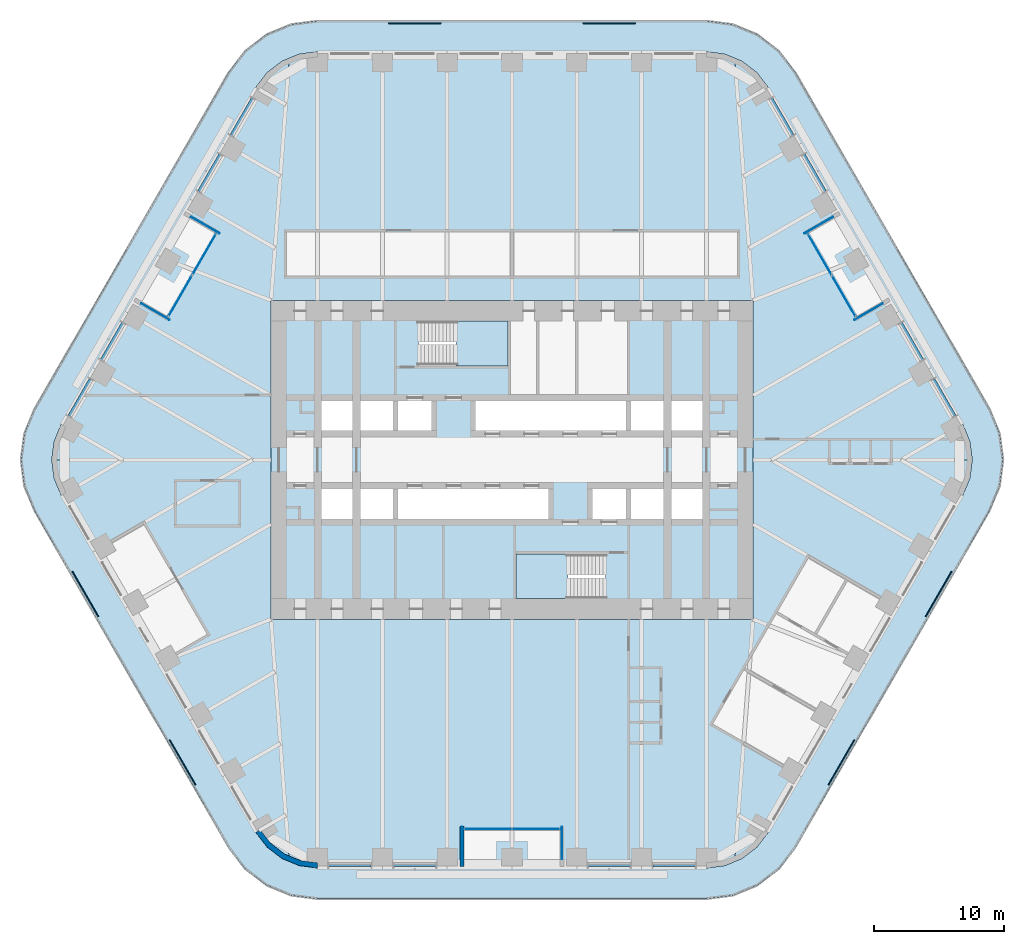
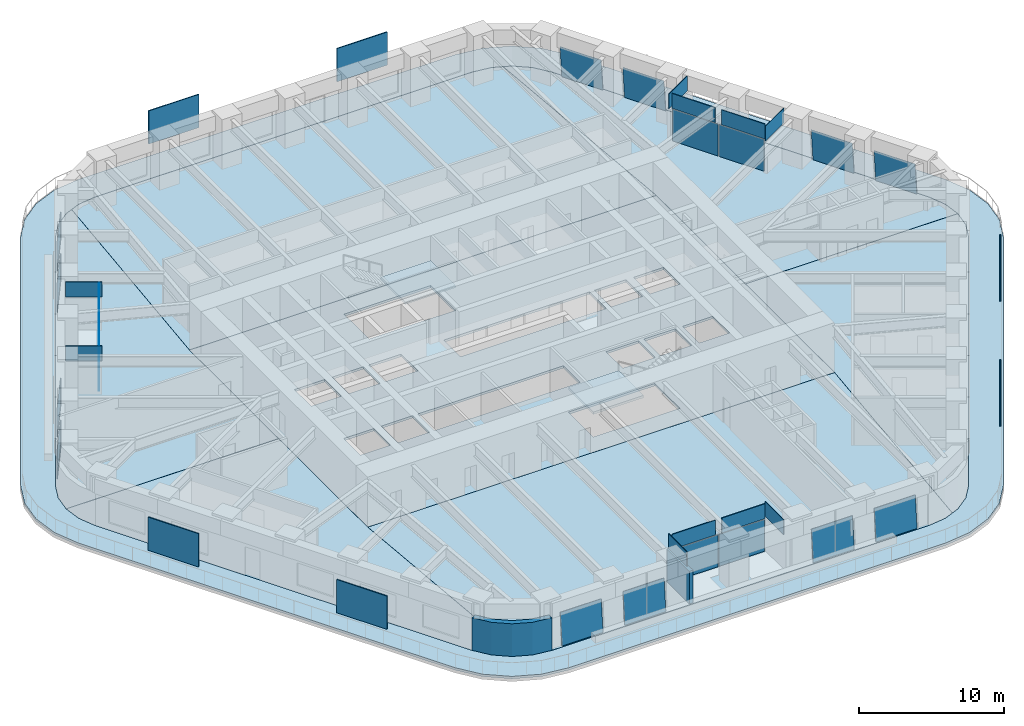
# One storey, part 16 of 24: 36 plates, 10 slabs, 2 walls, 17 elements without a shape of their own.
"""IFC4 building model written with IfcOpenShell, lengths in metres."""

from ifc_helpers import new_model, si_unit, direction, frame, frame_2d, origin, origin_2d, place, context, subcontext, project, spatial, polyline, rectangle, outline, extrude, material, layer, layer_set, type_object, element, aggregate, save


model = new_model("IFC4")

# Units and contexts
model_context = context("Model", 3, precision=1e-05, world=origin(), true_north=direction((0.0, 1.0)))
body_context = subcontext(model_context, "Body", "Model", "MODEL_VIEW")
ifc_project = project(units=[si_unit("LENGTHUNIT", "METRE"), si_unit("AREAUNIT", "SQUARE_METRE"), si_unit("VOLUMEUNIT", "CUBIC_METRE"), si_unit("PLANEANGLEUNIT", "RADIAN"), si_unit("MASSUNIT", "GRAM", prefix="KILO")], contexts=[model_context])

# Site, building, storey
site_placement = place(None, origin())
site = spatial("IfcSite", under=ifc_project, at=site_placement, CompositionType="ELEMENT")
building_placement = place(site_placement, origin())
building = spatial("IfcBuilding", under=site, at=building_placement, Name="Tarfa Lantern Tower", CompositionType="ELEMENT")
storey_placement = place(building_placement, frame((0.0, 0.0, 169.89990234375)))
storey = spatial("IfcBuildingStorey", under=building, at=storey_placement, Name="L38", CompositionType="ELEMENT", Elevation=169.89990234375)

# Slab
ifc_material_1 = material(Name="Concrete C40/50", Category="concrete")
ifc_layer_1 = layer(ifc_material_1, 0.199951171875)
ifc_layer_set_1 = layer_set([ifc_layer_1], Name="BS2 BALCONY SLAB 200")
slab_type_1 = type_object("IfcSlabType", Name="BS2 BALCONY SLAB 200", PredefinedType="FLOOR", material=ifc_layer_set_1)
slab_1_placement = place(storey_placement, frame((0.0, 0.0, -0.199951171875)))
element("IfcSlab", 1, at=slab_1_placement, inside=storey, type_object=slab_type_1, Name="Balcony L38", PredefinedType="FLOOR", context=body_context, shape_type="SweptSolid", body=[
    extrude(outline(polyline([(36.86376953125, 3.949951171875), (21.852783203125, 29.949951171875), (20.59716796875, 31.586181640625), (18.961181640625, 32.841552734375), (17.0556640625, 33.630859375), (15.010986328125, 33.89990234375), (-15.010986328125, 33.89990234375), (-17.0556640625, 33.630859375), (-18.961181640625, 32.841552734375), (-20.59716796875, 31.586181640625), (-21.852783203125, 29.949951171875), (-36.86376953125, 3.949951171875), (-37.653076171875, 2.044677734375), (-37.922119140625, 0.0), (-37.653076171875, -2.044677734375), (-36.86376953125, -3.949951171875), (-21.852783203125, -29.949951171875), (-20.59716796875, -31.586181640625), (-18.961181640625, -32.841552734375), (-17.0556640625, -33.630859375), (-15.010986328125, -33.89990234375), (15.010986328125, -33.89990234375), (17.0556640625, -33.630859375), (18.961181640625, -32.841552734375), (20.59716796875, -31.586181640625), (21.852783203125, -29.949951171875), (36.86376953125, -3.949951171875), (37.653076171875, -2.044677734375), (37.922119140625, 0.0), (37.653076171875, 2.044677734375), (36.86376953125, 3.949951171875)]), holes=[polyline([(34.785400390625, 2.75), (19.774169921875, 28.75), (18.900146484375, 29.88916015625), (17.760986328125, 30.76318359375), (16.4345703125, 31.3125), (15.010986328125, 31.5), (-15.010986328125, 31.5), (-16.4345703125, 31.3125), (-17.760986328125, 30.76318359375), (-18.900146484375, 29.88916015625), (-19.774169921875, 28.75), (-34.785400390625, 2.75), (-35.334716796875, 1.423583984375), (-35.522216796875, 0.0), (-35.334716796875, -1.423583984375), (-34.785400390625, -2.75), (-19.774169921875, -28.75), (-18.900146484375, -29.88916015625), (-17.760986328125, -30.76318359375), (-16.4345703125, -31.3125), (-15.010986328125, -31.5), (15.010986328125, -31.5), (16.4345703125, -31.3125), (17.760986328125, -30.76318359375), (18.900146484375, -29.88916015625), (19.774169921875, -28.75), (34.785400390625, -2.75), (35.334716796875, -1.423583984375), (35.522216796875, 0.0), (35.334716796875, 1.423583984375), (34.785400390625, 2.75)])]), origin(), (0.0, 0.0, 1.0), 0.199951171875),
])

# Curtain wall, plate
ifc_material_2 = material(Name="Aluminium framed curtain wall", Category="aluminium")
curtain_wall_type_1 = type_object("IfcCurtainWallType", Name="CW2 CANTED GLAZING MID ZONE 2750", PredefinedType="USERDEFINED", material=ifc_material_2)
curtain_wall_1_placement = place(storey_placement, origin())
curtain_wall_1 = element("IfcCurtainWall", 2, at=curtain_wall_1_placement, inside=storey, type_object=curtain_wall_type_1, Name="CW2 NE L38", ObjectType="CURTAIN WALL", PredefinedType="USERDEFINED")
ifc_material_3 = material(Name="Laminated double glazing", Category="glass")
ifc_layer_2 = layer(ifc_material_3, 0.028076171875)
ifc_layer_set_2 = layer_set([ifc_layer_2], Name="CWP1 DOUBLE GLAZED PANEL")
plate_type_1 = type_object("IfcPlateType", Name="CWP1 DOUBLE GLAZED PANEL", PredefinedType="CURTAIN_PANEL", material=ifc_layer_set_2)
plate_1_placement = place(storey_placement, frame((34.266357421875, 3.44921875, 0.0), z_axis=(0.862441677575, 0.497990996223, 0.09055009919), x_axis=(-0.500045231271, 0.865999287923, 0.0)))
plate_1 = element("IfcPlate", 3, at=plate_1_placement, type_object=plate_type_1, Name="CW2 panel 1.1", PredefinedType="CURTAIN_PANEL", context=body_context, shape_type="SweptSolid", body=[
    extrude(outline(polyline([(0.0, 0.0), (3.2736296403891254, -2.7755575615628914e-17), (3.273639290369484, 2.696134580088432), (9.64998035858606e-06, 2.696134580088432), (0.0, 0.0)])), origin(), (0.0, 0.0, -1.0), 0.028076171875),
])
aggregate(curtain_wall_1, [plate_1])

curtain_wall_2_placement = place(storey_placement, origin())
curtain_wall_2 = element("IfcCurtainWall", 4, at=curtain_wall_2_placement, inside=storey, type_object=curtain_wall_type_1, Name="CW2 NE L38", ObjectType="CURTAIN WALL", PredefinedType="USERDEFINED")
plate_2_placement = place(storey_placement, frame((31.764404296875, 7.782470703125, 0.0), z_axis=(0.862479387985, 0.497932752669, 0.090511209914), x_axis=(-0.499985201727, 0.866033947398, 2.910741e-06)))
plate_2 = element("IfcPlate", 5, at=plate_2_placement, type_object=plate_type_1, Name="CW2 panel 1.1", PredefinedType="CURTAIN_PANEL", context=body_context, shape_type="SweptSolid", body=[
    extrude(outline(polyline([(0.0, 0.0), (3.2738410665798376, 0.0), (3.273719542684435, 2.696115441250439), (5.428042382078573e-07, 2.696134578050012), (0.0, 0.0)])), origin(), (0.0, 0.0, -1.0), 0.028076171875),
])
aggregate(curtain_wall_2, [plate_2])

curtain_wall_3_placement = place(storey_placement, origin())
curtain_wall_3 = element("IfcCurtainWall", 6, at=curtain_wall_3_placement, inside=storey, type_object=curtain_wall_type_1, Name="CW2 NEB L38", ObjectType="CURTAIN WALL", PredefinedType="USERDEFINED")
plate_3_placement = place(storey_placement, frame((24.2587890625, 20.782470703125, 0.0), z_axis=(0.862492405459, 0.49790313323, 0.090550099086), x_axis=(-0.499957005835, 0.866050225054, 0.0)))
plate_3 = element("IfcPlate", 7, at=plate_3_placement, type_object=plate_type_1, Name="CW2 panel 1.1", PredefinedType="CURTAIN_PANEL", context=body_context, shape_type="SweptSolid", body=[
    extrude(outline(polyline([(0.0, 0.0), (3.273719001629088, 0.0), (3.2737037805661293, 2.6961345800627363), (-1.5221062958495346e-05, 2.6961345800627363), (0.0, 0.0)])), origin(), (0.0, 0.0, -1.0), 0.028076171875),
])
aggregate(curtain_wall_3, [plate_3])

curtain_wall_4_placement = place(storey_placement, origin())
curtain_wall_4 = element("IfcCurtainWall", 8, at=curtain_wall_4_placement, inside=storey, type_object=curtain_wall_type_1, Name="CW2 NEB L38", ObjectType="CURTAIN WALL", PredefinedType="USERDEFINED")
plate_4_placement = place(storey_placement, frame((21.757080078125, 25.11572265625, 0.0), z_axis=(0.862460247027, 0.49795883547, 0.09055009926), x_axis=(-0.500012937857, 0.86601793398, 0.0)))
plate_4 = element("IfcPlate", 9, at=plate_4_placement, type_object=plate_type_1, Name="CW2 panel 1.1", PredefinedType="CURTAIN_PANEL", context=body_context, shape_type="SweptSolid", body=[
    extrude(outline(polyline([(0.0, 0.0), (3.2738410682727324, -2.7755575615628914e-17), (3.27384161446276, 2.6961345801056464), (5.461900275667914e-07, 2.6961345801056464), (0.0, 0.0)])), origin(), (0.0, 0.0, -1.0), 0.028076171875),
])
aggregate(curtain_wall_4, [plate_4])

# Curtain wall, plates
curtain_wall_type_2 = type_object("IfcCurtainWallType", Name="CW10 LOGGIA GLAZING 2750", PredefinedType="USERDEFINED", material=ifc_material_2)
curtain_wall_5_placement = place(storey_placement, origin())
curtain_wall_5 = element("IfcCurtainWall", 10, at=curtain_wall_5_placement, inside=storey, type_object=curtain_wall_type_2, Name="CW10 NEL L38", ObjectType="CURTAIN WALL", PredefinedType="USERDEFINED")
plate_5_placement = place(storey_placement, frame((25.599609375, 12.660400390625, 0.0), z_axis=(0.0, 0.0, 1.0), x_axis=(-0.5, 0.866025403784, 0.0)))
plate_5 = element("IfcPlate", 11, at=plate_5_placement, type_object=plate_type_1, Name="CW10 panel 1.1", PredefinedType="CURTAIN_PANEL", context=body_context, shape_type="SweptSolid", body=[
    extrude(rectangle(XDim=3.606201171875, YDim=0.028076171875, at=origin_2d()), origin(), (0.0, 0.0, 1.0), 2.68505859375),
])
plate_6_placement = place(storey_placement, frame((23.763916015625, 15.839599609375, 0.0), z_axis=(0.0, 0.0, 1.0), x_axis=(-0.5, 0.866025403784, 0.0)))
plate_6 = element("IfcPlate", 12, at=plate_6_placement, type_object=plate_type_1, Name="CW10 panel 2.1", PredefinedType="CURTAIN_PANEL", context=body_context, shape_type="SweptSolid", body=[
    extrude(rectangle(XDim=3.606201171875, YDim=0.028076171875, at=origin_2d()), origin(), (0.0, 0.0, 1.0), 2.68505859375),
])
aggregate(curtain_wall_5, [plate_5, plate_6])

# Curtain wall, plate
curtain_wall_6_placement = place(storey_placement, origin())
curtain_wall_6 = element("IfcCurtainWall", 13, at=curtain_wall_6_placement, inside=storey, type_object=curtain_wall_type_1, Name="CW2 NW L38", ObjectType="CURTAIN WALL", PredefinedType="USERDEFINED")
plate_7_placement = place(storey_placement, frame((-20.1201171875, 27.950927734375, 0.0), z_axis=(-0.862460247027, 0.49795883547, 0.09055009926), x_axis=(-0.500012937857, -0.86601793398, 0.0)))
plate_7 = element("IfcPlate", 14, at=plate_7_placement, type_object=plate_type_1, Name="CW2 panel 1.1", PredefinedType="CURTAIN_PANEL", context=body_context, shape_type="SweptSolid", body=[
    extrude(outline(polyline([(0.0, 0.0), (3.2738410682727324, 2.7755575615628914e-17), (3.273840522082705, 2.6961345801056464), (-5.461900275667914e-07, 2.6961345801056464), (0.0, 0.0)])), origin(), (0.0, 0.0, -1.0), 0.028076171875),
])
aggregate(curtain_wall_6, [plate_7])

curtain_wall_7_placement = place(storey_placement, origin())
curtain_wall_7 = element("IfcCurtainWall", 15, at=curtain_wall_7_placement, inside=storey, type_object=curtain_wall_type_1, Name="CW2 NW L38", ObjectType="CURTAIN WALL", PredefinedType="USERDEFINED")
plate_8_placement = place(storey_placement, frame((-22.6220703125, 23.61767578125, 0.0), z_axis=(-0.862492405459, 0.49790313323, 0.090550099086), x_axis=(-0.499957005835, -0.866050225054, 0.0)))
plate_8 = element("IfcPlate", 16, at=plate_8_placement, type_object=plate_type_1, Name="CW2 panel 1.1", PredefinedType="CURTAIN_PANEL", context=body_context, shape_type="SweptSolid", body=[
    extrude(outline(polyline([(0.0, 0.0), (3.273719001629088, 0.0), (3.2737342226920463, 2.6961345800627363), (1.5221062958495346e-05, 2.6961345800627363), (0.0, 0.0)])), origin(), (0.0, 0.0, -1.0), 0.028076171875),
])
aggregate(curtain_wall_7, [plate_8])

curtain_wall_8_placement = place(storey_placement, origin())
curtain_wall_8 = element("IfcCurtainWall", 17, at=curtain_wall_8_placement, inside=storey, type_object=curtain_wall_type_1, Name="CW2 NWB L38", ObjectType="CURTAIN WALL", PredefinedType="USERDEFINED")
plate_9_placement = place(storey_placement, frame((-30.12744140625, 10.61767578125, 0.0), z_axis=(-0.862479387985, 0.497932752669, 0.090511209914), x_axis=(-0.499985201727, -0.866033947398, -2.910741e-06)))
plate_9 = element("IfcPlate", 18, at=plate_9_placement, type_object=plate_type_1, Name="CW2 panel 1.1", PredefinedType="CURTAIN_PANEL", context=body_context, shape_type="SweptSolid", body=[
    extrude(outline(polyline([(0.0, 0.0), (3.2738410665798376, 0.0), (3.2738405237755996, 2.696134578050012), (0.00012152389540222507, 2.6961154412504387), (0.0, 0.0)])), origin(), (0.0, 0.0, -1.0), 0.028076171875),
])
aggregate(curtain_wall_8, [plate_9])

curtain_wall_9_placement = place(storey_placement, origin())
curtain_wall_9 = element("IfcCurtainWall", 19, at=curtain_wall_9_placement, inside=storey, type_object=curtain_wall_type_1, Name="CW2 NWB L38", ObjectType="CURTAIN WALL", PredefinedType="USERDEFINED")
plate_10_placement = place(storey_placement, frame((-32.62939453125, 6.2841796875, 0.0), z_axis=(-0.862441677575, 0.497990996223, 0.09055009919), x_axis=(-0.500045231271, -0.865999287923, 0.0)))
plate_10 = element("IfcPlate", 20, at=plate_10_placement, type_object=plate_type_1, Name="CW2 panel 1.1", PredefinedType="CURTAIN_PANEL", context=body_context, shape_type="SweptSolid", body=[
    extrude(outline(polyline([(0.0, 0.0), (3.2736296403891254, 2.7755575615628914e-17), (3.273619990408767, 2.696134580088432), (-9.64998035858606e-06, 2.696134580088432), (0.0, 0.0)])), origin(), (0.0, 0.0, -1.0), 0.028076171875),
])
aggregate(curtain_wall_9, [plate_10])

# Curtain wall, plates
curtain_wall_10_placement = place(storey_placement, origin())
curtain_wall_10 = element("IfcCurtainWall", 21, at=curtain_wall_10_placement, inside=storey, type_object=curtain_wall_type_2, Name="CW10 NWL L38", ObjectType="CURTAIN WALL", PredefinedType="USERDEFINED")
plate_11_placement = place(storey_placement, frame((-23.763916015625, 15.839599609375, 0.0), z_axis=(0.0, 0.0, 1.0), x_axis=(-0.5, -0.866025403784, 0.0)))
plate_11 = element("IfcPlate", 22, at=plate_11_placement, type_object=plate_type_1, Name="CW10 panel 1.1", PredefinedType="CURTAIN_PANEL", context=body_context, shape_type="SweptSolid", body=[
    extrude(rectangle(XDim=3.606201171875, YDim=0.028076171875, at=origin_2d()), origin(), (0.0, 0.0, 1.0), 2.68505859375),
])
plate_12_placement = place(storey_placement, frame((-25.599609375, 12.660400390625, 0.0), z_axis=(0.0, 0.0, 1.0), x_axis=(-0.5, -0.866025403784, 0.0)))
plate_12 = element("IfcPlate", 23, at=plate_12_placement, type_object=plate_type_1, Name="CW10 panel 2.1", PredefinedType="CURTAIN_PANEL", context=body_context, shape_type="SweptSolid", body=[
    extrude(rectangle(XDim=3.606201171875, YDim=0.028076171875, at=origin_2d()), origin(), (0.0, 0.0, 1.0), 2.68505859375),
])
aggregate(curtain_wall_10, [plate_11, plate_12])

# Curtain wall, plate
curtain_wall_11_placement = place(storey_placement, origin())
curtain_wall_11 = element("IfcCurtainWall", 24, at=curtain_wall_11_placement, inside=storey, type_object=curtain_wall_type_1, Name="CW2 S L38", ObjectType="CURTAIN WALL", PredefinedType="USERDEFINED")
plate_13_placement = place(storey_placement, frame((-14.14599609375, -31.39990234375, 0.0), z_axis=(0.0, -0.995899883883, 0.090462264412), x_axis=(1.0, 0.0, 0.0)))
plate_13 = element("IfcPlate", 25, at=plate_13_placement, type_object=plate_type_1, Name="CW2 panel 1.1", PredefinedType="CURTAIN_PANEL", context=body_context, shape_type="SweptSolid", body=[
    extrude(outline(polyline([(0.0, 0.0), (3.273681640625, 0.0), (3.273681640625, 2.6961129699923947), (0.0, 2.6961129699923947), (0.0, 0.0)])), origin(), (0.0, 0.0, -1.0), 0.028076171875),
])
aggregate(curtain_wall_11, [plate_13])

curtain_wall_12_placement = place(storey_placement, origin())
curtain_wall_12 = element("IfcCurtainWall", 26, at=curtain_wall_12_placement, inside=storey, type_object=curtain_wall_type_1, Name="CW2 S L38", ObjectType="CURTAIN WALL", PredefinedType="USERDEFINED")
plate_14_placement = place(storey_placement, frame((-9.142333984375, -31.39990234375, 0.0), z_axis=(0.0, -0.995899883883, 0.090462264412), x_axis=(1.0, 0.0, 0.0)))
plate_14 = element("IfcPlate", 27, at=plate_14_placement, type_object=plate_type_1, Name="CW2 panel 1.1", PredefinedType="CURTAIN_PANEL", context=body_context, shape_type="SweptSolid", body=[
    extrude(outline(polyline([(0.0, 0.0), (3.273681640625, 0.0), (3.273681640625, 2.6961129699923947), (0.0, 2.6961129699923947), (0.0, 0.0)])), origin(), (0.0, 0.0, -1.0), 0.028076171875),
])
aggregate(curtain_wall_12, [plate_14])

curtain_wall_13_placement = place(storey_placement, origin())
curtain_wall_13 = element("IfcCurtainWall", 28, at=curtain_wall_13_placement, inside=storey, type_object=curtain_wall_type_1, Name="CW2 SB L38", ObjectType="CURTAIN WALL", PredefinedType="USERDEFINED")
plate_15_placement = place(storey_placement, frame((5.86865234375, -31.39990234375, 0.0), z_axis=(0.0, -0.995899883883, 0.090462264412), x_axis=(1.0, 0.0, 0.0)))
plate_15 = element("IfcPlate", 29, at=plate_15_placement, type_object=plate_type_1, Name="CW2 panel 1.1", PredefinedType="CURTAIN_PANEL", context=body_context, shape_type="SweptSolid", body=[
    extrude(outline(polyline([(0.0, 0.0), (3.273681640625, 0.0), (3.273681640625, 2.6961129699923947), (0.0, 2.6961129699923947), (0.0, 0.0)])), origin(), (0.0, 0.0, -1.0), 0.028076171875),
])
aggregate(curtain_wall_13, [plate_15])

curtain_wall_14_placement = place(storey_placement, origin())
curtain_wall_14 = element("IfcCurtainWall", 30, at=curtain_wall_14_placement, inside=storey, type_object=curtain_wall_type_1, Name="CW2 SB L38", ObjectType="CURTAIN WALL", PredefinedType="USERDEFINED")
plate_16_placement = place(storey_placement, frame((10.872314453125, -31.39990234375, 0.0), z_axis=(0.0, -0.995899883883, 0.090462264412), x_axis=(1.0, 0.0, 0.0)))
plate_16 = element("IfcPlate", 31, at=plate_16_placement, type_object=plate_type_1, Name="CW2 panel 1.1", PredefinedType="CURTAIN_PANEL", context=body_context, shape_type="SweptSolid", body=[
    extrude(outline(polyline([(0.0, 0.0), (3.273681640625, 0.0), (3.273681640625, 2.6961129699923947), (0.0, 2.6961129699923947), (0.0, 0.0)])), origin(), (0.0, 0.0, -1.0), 0.028076171875),
])
aggregate(curtain_wall_14, [plate_16])

# Curtain wall, plates
curtain_wall_15_placement = place(storey_placement, origin())
curtain_wall_15 = element("IfcCurtainWall", 32, at=curtain_wall_15_placement, inside=storey, type_object=curtain_wall_type_2, Name="CW10 SL L38", ObjectType="CURTAIN WALL", PredefinedType="USERDEFINED")
plate_17_placement = place(storey_placement, frame((-1.835693359375, -28.5, 0.0), z_axis=(0.0, 0.0, 1.0), x_axis=(1.0, 0.0, 0.0)))
plate_17 = element("IfcPlate", 33, at=plate_17_placement, type_object=plate_type_1, Name="CW10 panel 1.1", PredefinedType="CURTAIN_PANEL", context=body_context, shape_type="SweptSolid", body=[
    extrude(rectangle(XDim=3.606201171875, YDim=0.028076171875, at=origin_2d()), origin(), (0.0, 0.0, 1.0), 2.68505859375),
])
plate_18_placement = place(storey_placement, frame((1.835693359375, -28.5, 0.0), z_axis=(0.0, 0.0, 1.0), x_axis=(1.0, 0.0, 0.0)))
plate_18 = element("IfcPlate", 34, at=plate_18_placement, type_object=plate_type_1, Name="CW10 panel 2.1", PredefinedType="CURTAIN_PANEL", context=body_context, shape_type="SweptSolid", body=[
    extrude(rectangle(XDim=3.606201171875, YDim=0.028076171875, at=origin_2d()), origin(), (0.0, 0.0, 1.0), 2.68505859375),
])
aggregate(curtain_wall_15, [plate_17, plate_18])

# Slabs
ifc_layer_3 = layer(ifc_material_1, 0.199951171875)
ifc_layer_set_3 = layer_set([ifc_layer_3], Name="FS1 FLOOR SLAB 200")
slab_type_2 = type_object("IfcSlabType", Name="FS1 FLOOR SLAB 200", PredefinedType="FLOOR", material=ifc_layer_set_3)
slab_2_placement = place(storey_placement, frame((0.0, 0.0, -0.199951171875)))
element("IfcSlab", 35, at=slab_2_placement, inside=storey, type_object=slab_type_2, Name="Floor slab L38", PredefinedType="FLOOR", context=body_context, shape_type="SweptSolid", body=[
    extrude(outline(polyline([(-18.60009765625, -12.300048828125), (18.60009765625, -12.300048828125), (18.60009765625, 12.300048828125), (-18.60009765625, 12.300048828125), (-18.60009765625, -12.300048828125)]), holes=[polyline([(-14.699951171875, 2.25), (-12.300048828125, 2.25), (-12.300048828125, 4.550048828125), (-14.699951171875, 4.550048828125), (-14.699951171875, 2.25)]), polyline([(-11.699951171875, 2.25), (-9.199951171875, 2.25), (-9.199951171875, 4.550048828125), (-11.699951171875, 4.550048828125), (-11.699951171875, 2.25)]), polyline([(-8.800048828125, 2.25), (-6.199951171875, 2.25), (-6.199951171875, 4.550048828125), (-8.800048828125, 4.550048828125), (-8.800048828125, 2.25)]), polyline([(-2.800048828125, 2.25), (8.800048828125, 2.25), (8.800048828125, 4.550048828125), (-2.800048828125, 4.550048828125), (-2.800048828125, 2.25)]), polyline([(9.199951171875, 2.25), (11.699951171875, 2.25), (11.699951171875, 4.550048828125), (9.199951171875, 4.550048828125), (9.199951171875, 2.25)]), polyline([(12.300048828125, 2.25), (14.699951171875, 2.25), (14.699951171875, 4.550048828125), (12.300048828125, 4.550048828125), (12.300048828125, 2.25)]), polyline([(14.699951171875, -2.25), (12.300048828125, -2.25), (12.300048828125, -4.550048828125), (14.699951171875, -4.550048828125), (14.699951171875, -2.25)]), polyline([(11.699951171875, -2.25), (9.199951171875, -2.25), (9.199951171875, -4.550048828125), (11.699951171875, -4.550048828125), (11.699951171875, -2.25)]), polyline([(8.800048828125, -2.25), (6.199951171875, -2.25), (6.199951171875, -4.550048828125), (8.800048828125, -4.550048828125), (8.800048828125, -2.25)]), polyline([(2.800048828125, -2.25), (-8.800048828125, -2.25), (-8.800048828125, -4.550048828125), (2.800048828125, -4.550048828125), (2.800048828125, -2.25)]), polyline([(-9.199951171875, -2.25), (-11.699951171875, -2.25), (-11.699951171875, -4.550048828125), (-9.199951171875, -4.550048828125), (-9.199951171875, -2.25)]), polyline([(-12.300048828125, -2.25), (-14.699951171875, -2.25), (-14.699951171875, -4.550048828125), (-12.300048828125, -4.550048828125), (-12.300048828125, -2.25)]), polyline([(-7.199951171875, 7.25), (-0.300048828125, 7.25), (-0.300048828125, 10.699951171875), (-7.199951171875, 10.699951171875), (-7.199951171875, 7.25)]), polyline([(7.199951171875, -7.25), (0.300048828125, -7.25), (0.300048828125, -10.699951171875), (7.199951171875, -10.699951171875), (7.199951171875, -7.25)])]), origin(), (0.0, 0.0, 1.0), 0.199951171875),
])
slab_3_placement = place(storey_placement, frame((0.0, 0.0, -0.199951171875)))
element("IfcSlab", 36, at=slab_3_placement, inside=storey, type_object=slab_type_2, Name="Floor slab L38 NE bay", PredefinedType="FLOOR", context=body_context, shape_type="SweptSolid", body=[
    extrude(outline(polyline([(34.783447265625, 2.7490234375), (19.7724609375, 28.748779296875), (18.898681640625, 29.8876953125), (17.760009765625, 30.761474609375), (17.19189453125, 30.996826171875), (18.60205078125, 12.300048828125), (18.60205078125, 0.001953125), (35.52001953125, 0.001953125), (35.332763671875, 1.423095703125), (34.783447265625, 2.7490234375)])), origin(), (0.0, 0.0, 1.0), 0.199951171875),
])
slab_4_placement = place(storey_placement, frame((0.0, 0.0, -0.199951171875)))
element("IfcSlab", 37, at=slab_4_placement, inside=storey, type_object=slab_type_2, Name="Floor slab L38 N bay", PredefinedType="FLOOR", context=body_context, shape_type="SweptSolid", body=[
    extrude(outline(polyline([(-18.597900390625, 12.302001953125), (18.597900390625, 12.302001953125), (17.187744140625, 30.99853515625), (16.43408203125, 31.310546875), (15.010986328125, 31.498046875), (-15.010986328125, 31.498046875), (-16.43408203125, 31.310546875), (-17.187744140625, 30.99853515625), (-18.597900390625, 12.302001953125)])), origin(), (0.0, 0.0, 1.0), 0.199951171875),
])
slab_5_placement = place(storey_placement, frame((0.0, 0.0, -0.199951171875)))
element("IfcSlab", 38, at=slab_5_placement, inside=storey, type_object=slab_type_2, Name="Floor slab L38 NW bay", PredefinedType="FLOOR", context=body_context, shape_type="SweptSolid", body=[
    extrude(outline(polyline([(-18.60205078125, 0.001953125), (-18.60205078125, 12.300048828125), (-17.19189453125, 30.996826171875), (-17.760009765625, 30.761474609375), (-18.898681640625, 29.8876953125), (-19.7724609375, 28.748779296875), (-34.783447265625, 2.7490234375), (-35.332763671875, 1.423095703125), (-35.52001953125, 0.001953125), (-18.60205078125, 0.001953125)])), origin(), (0.0, 0.0, 1.0), 0.199951171875),
])
slab_6_placement = place(storey_placement, frame((0.0, 0.0, -0.199951171875)))
element("IfcSlab", 39, at=slab_6_placement, inside=storey, type_object=slab_type_2, Name="Floor slab L38 SW bay", PredefinedType="FLOOR", context=body_context, shape_type="SweptSolid", body=[
    extrude(outline(polyline([(-18.60205078125, -12.300048828125), (-18.60205078125, -0.001953125), (-35.52001953125, -0.001953125), (-35.332763671875, -1.423095703125), (-34.783447265625, -2.7490234375), (-19.7724609375, -28.748779296875), (-18.898681640625, -29.8876953125), (-17.760009765625, -30.761474609375), (-17.19189453125, -30.996826171875), (-18.60205078125, -12.300048828125)])), origin(), (0.0, 0.0, 1.0), 0.199951171875),
])
slab_7_placement = place(storey_placement, frame((0.0, 0.0, -0.199951171875)))
element("IfcSlab", 40, at=slab_7_placement, inside=storey, type_object=slab_type_2, Name="Floor slab L38 S bay", PredefinedType="FLOOR", context=body_context, shape_type="SweptSolid", body=[
    extrude(outline(polyline([(18.597900390625, -12.302001953125), (-18.597900390625, -12.302001953125), (-17.187744140625, -30.99853515625), (-16.43408203125, -31.310546875), (-15.010986328125, -31.498046875), (15.010986328125, -31.498046875), (16.43408203125, -31.310546875), (17.187744140625, -30.99853515625), (18.597900390625, -12.302001953125)])), origin(), (0.0, 0.0, 1.0), 0.199951171875),
])
slab_8_placement = place(storey_placement, frame((0.0, 0.0, -0.199951171875)))
element("IfcSlab", 41, at=slab_8_placement, inside=storey, type_object=slab_type_2, Name="Floor slab L38 SE bay", PredefinedType="FLOOR", context=body_context, shape_type="SweptSolid", body=[
    extrude(outline(polyline([(18.60205078125, -0.001953125), (18.60205078125, -12.300048828125), (17.19189453125, -30.996826171875), (17.760009765625, -30.761474609375), (18.898681640625, -29.8876953125), (19.7724609375, -28.748779296875), (34.783447265625, -2.7490234375), (35.332763671875, -1.423095703125), (35.52001953125, -0.001953125), (18.60205078125, -0.001953125)])), origin(), (0.0, 0.0, 1.0), 0.199951171875),
])

# Plates
ifc_material_4 = material(Name="Aluminium fascia panel", Category="aluminium")
ifc_layer_4 = layer(ifc_material_4, 0.050048828125)
ifc_layer_set_4 = layer_set([ifc_layer_4], Name="LF1 LOGGIA HEAD FASCIA 50")
plate_type_2 = type_object("IfcPlateType", Name="LF1 LOGGIA HEAD FASCIA 50", PredefinedType="USERDEFINED", material=ifc_layer_set_4)
for number, where, z_axis, x_axis, name in (
    (42, (25.670166015625, 12.5380859375, 2.75), (0.0, 0.0, 1.0), (-0.5, 0.866025403784, 0.0), "Loggia head fascia NE"),
    (43, (23.693359375, 15.9619140625, 2.75), (0.0, 0.0, 1.0), (-0.5, 0.866025403784, 0.0), "Loggia head fascia NE"),
):
    element("IfcPlate", number, at=place(storey_placement, frame(where, z_axis=z_axis, x_axis=x_axis)), inside=storey, type_object=plate_type_2, Name=name, ObjectType="FASCIA", PredefinedType="USERDEFINED", context=body_context, shape_type="SweptSolid", body=[
        extrude(rectangle(XDim=3.45361328125, YDim=0.050048828125, at=origin_2d()), origin(), (0.0, 0.0, 1.0), 1.25),
    ])
for number, where, z_axis, x_axis, name in (
    (44, (27.526611328125, 11.442626953125, 2.75), (0.0, 0.0, 1.0), (-0.866025403784, -0.5, 0.0), "Loggia head fascia NE"),
    (45, (23.6728515625, 18.117431640625, 2.75), (0.0, 0.0, 1.0), (-0.866025403784, -0.5, 0.0), "Loggia head fascia NE"),
):
    element("IfcPlate", number, at=place(storey_placement, frame(where, z_axis=z_axis, x_axis=x_axis)), inside=storey, type_object=plate_type_2, Name=name, ObjectType="FASCIA", PredefinedType="USERDEFINED", context=body_context, shape_type="SweptSolid", body=[
        extrude(rectangle(XDim=2.52001953125, YDim=0.050048828125, at=origin_2d()), origin(), (0.0, 0.0, 1.0), 1.25),
    ])
for number, where, z_axis, x_axis, name in (
    (46, (-23.693359375, 15.9619140625, 2.75), (0.0, 0.0, 1.0), (-0.5, -0.866025403784, 0.0), "Loggia head fascia NW"),
    (47, (-25.670166015625, 12.5380859375, 2.75), (0.0, 0.0, 1.0), (-0.5, -0.866025403784, 0.0), "Loggia head fascia NW"),
):
    element("IfcPlate", number, at=place(storey_placement, frame(where, z_axis=z_axis, x_axis=x_axis)), inside=storey, type_object=plate_type_2, Name=name, ObjectType="FASCIA", PredefinedType="USERDEFINED", context=body_context, shape_type="SweptSolid", body=[
        extrude(rectangle(XDim=3.45361328125, YDim=0.050048828125, at=origin_2d()), origin(), (0.0, 0.0, 1.0), 1.25),
    ])
for number, where, z_axis, x_axis, name in (
    (48, (-23.6728515625, 18.117431640625, 2.75), (0.0, 0.0, 1.0), (0.866025403784, -0.5, 0.0), "Loggia head fascia NW"),
    (49, (-27.526611328125, 11.442626953125, 2.75), (0.0, 0.0, 1.0), (0.866025403784, -0.5, 0.0), "Loggia head fascia NW"),
):
    element("IfcPlate", number, at=place(storey_placement, frame(where, z_axis=z_axis, x_axis=x_axis)), inside=storey, type_object=plate_type_2, Name=name, ObjectType="FASCIA", PredefinedType="USERDEFINED", context=body_context, shape_type="SweptSolid", body=[
        extrude(rectangle(XDim=2.52001953125, YDim=0.050048828125, at=origin_2d()), origin(), (0.0, 0.0, 1.0), 1.25),
    ])
for number, where, z_axis, x_axis, name in (
    (50, (-1.976806640625, -28.5, 2.75), (0.0, 0.0, 1.0), (1.0, 0.0, 0.0), "Loggia head fascia S"),
    (51, (1.976806640625, -28.5, 2.75), (0.0, 0.0, 1.0), (1.0, 0.0, 0.0), "Loggia head fascia S"),
):
    element("IfcPlate", number, at=place(storey_placement, frame(where, z_axis=z_axis, x_axis=x_axis)), inside=storey, type_object=plate_type_2, Name=name, ObjectType="FASCIA", PredefinedType="USERDEFINED", context=body_context, shape_type="SweptSolid", body=[
        extrude(rectangle(XDim=3.45361328125, YDim=0.050048828125, at=origin_2d()), origin(), (0.0, 0.0, 1.0), 1.25),
    ])
for number, where, z_axis, x_axis, name in (
    (52, (-3.853759765625, -29.56005859375, 2.75), (0.0, 0.0, 1.0), (0.0, 1.0, 0.0), "Loggia head fascia S"),
    (53, (3.853759765625, -29.56005859375, 2.75), (0.0, 0.0, 1.0), (0.0, 1.0, 0.0), "Loggia head fascia S"),
):
    element("IfcPlate", number, at=place(storey_placement, frame(where, z_axis=z_axis, x_axis=x_axis)), inside=storey, type_object=plate_type_2, Name=name, ObjectType="FASCIA", PredefinedType="USERDEFINED", context=body_context, shape_type="SweptSolid", body=[
        extrude(rectangle(XDim=2.52001953125, YDim=0.050048828125, at=origin_2d()), origin(), (0.0, 0.0, 1.0), 1.25),
    ])
ifc_material_5 = material(Name="Perforated limestone screen", Category="masonry")
ifc_layer_5 = layer(ifc_material_5, 0.080078125)
ifc_layer_set_5 = layer_set([ifc_layer_5], Name="SC1 STONE SCREEN 80")
plate_type_3 = type_object("IfcPlateType", Name="SC1 STONE SCREEN 80", PredefinedType="USERDEFINED", material=ifc_layer_set_5)
for number, where, z_axis, x_axis, name in (
    (54, (7.505615234375, 33.699951171875, 1.2001953125), (0.0, 0.0, 1.0), (-1.0, 0.0, 0.0), "Stone screen N 1"),
    (55, (-7.505615234375, 33.699951171875, 1.2001953125), (0.0, 0.0, 1.0), (-1.0, 0.0, 0.0), "Stone screen N 2"),
    (56, (-32.937744140625, -10.35009765625, 1.2001953125), (0.0, 0.0, 1.0), (0.5, -0.866025403784, 0.0), "Stone screen SW 1"),
    (57, (-25.432373046875, -23.35009765625, 1.2001953125), (0.0, 0.0, 1.0), (0.5, -0.866025403784, 0.0), "Stone screen SW 2"),
    (58, (25.432373046875, -23.35009765625, 1.2001953125), (0.0, 0.0, 1.0), (0.5, 0.866025403784, 0.0), "Stone screen SE 1"),
    (59, (32.937744140625, -10.35009765625, 1.2001953125), (0.0, 0.0, 1.0), (0.5, 0.866025403784, 0.0), "Stone screen SE 2"),
):
    element("IfcPlate", number, at=place(storey_placement, frame(where, z_axis=z_axis, x_axis=x_axis)), inside=storey, type_object=plate_type_3, Name=name, ObjectType="SCREEN", PredefinedType="USERDEFINED", context=body_context, shape_type="SweptSolid", body=[
        extrude(rectangle(XDim=4.0, YDim=0.080078125, at=origin_2d()), origin(), (0.0, 0.0, 1.0), 2.800048828125),
    ])

# Stair, slab
stair_type = type_object("IfcStairType", Name="ST-T10 HALF-TURN STAIR 4200 RISE", PredefinedType="HALF_TURN_STAIR", material=ifc_material_1)
stair_1_placement = place(storey_placement, origin())
stair_1 = element("IfcStair", 60, at=stair_1_placement, inside=storey, type_object=stair_type, Name="Stair ST1", PredefinedType="HALF_TURN_STAIR")
ifc_layer_6 = layer(ifc_material_1, 0.199951171875)
ifc_layer_set_6 = layer_set([ifc_layer_6], Name="SL1 STAIR LANDING 200")
slab_type_3 = type_object("IfcSlabType", Name="SL1 STAIR LANDING 200", PredefinedType="LANDING", material=ifc_layer_set_6)
slab_9_placement = place(storey_placement, frame((0.0, 0.0, 1.900146484375)))
slab_9 = element("IfcSlab", 61, at=slab_9_placement, type_object=slab_type_3, Name="ST1 landing 1", PredefinedType="LANDING", context=body_context, shape_type="SweptSolid", body=[
    extrude(outline(polyline([(-4.320068359375, 7.25), (-0.300048828125, 7.25), (-0.300048828125, 10.699951171875), (-4.320068359375, 10.699951171875), (-4.320068359375, 7.25)])), origin(), (0.0, 0.0, 1.0), 0.199951171875),
])
aggregate(stair_1, [slab_9])

stair_2_placement = place(storey_placement, origin())
stair_2 = element("IfcStair", 62, at=stair_2_placement, inside=storey, type_object=stair_type, Name="Stair ST2", PredefinedType="HALF_TURN_STAIR")
slab_10_placement = place(storey_placement, frame((0.0, 0.0, 1.900146484375)))
slab_10 = element("IfcSlab", 63, at=slab_10_placement, type_object=slab_type_3, Name="ST2 landing 1", PredefinedType="LANDING", context=body_context, shape_type="SweptSolid", body=[
    extrude(outline(polyline([(4.320068359375, -7.25), (0.300048828125, -7.25), (0.300048828125, -10.699951171875), (4.320068359375, -10.699951171875), (4.320068359375, -7.25)])), origin(), (0.0, 0.0, 1.0), 0.199951171875),
])
aggregate(stair_2, [slab_10])

# Walls
ifc_material_6 = material(Name="Limestone cladding on blockwork", Category="masonry")
ifc_layer_7 = layer(ifc_material_6, 0.300048828125)
ifc_layer_set_7 = layer_set([ifc_layer_7], Name="EW1 STONE-CLAD WALL 300")
wall_type_1 = type_object("IfcWallType", Name="EW1 STONE-CLAD WALL 300", PredefinedType="SOLIDWALL", material=ifc_layer_set_7)
wall_1_placement = place(storey_placement, frame((-3.853759765625, -31.39990234375, 0.0), z_axis=(0.0, 0.0, 1.0), x_axis=(0.0, 1.0, 0.0)))
element("IfcWall", 64, at=wall_1_placement, inside=storey, type_object=wall_type_1, Name="Loggia return S 1", PredefinedType="SOLIDWALL", context=body_context, shape_type="SweptSolid", body=[
    extrude(rectangle(XDim=3.099853515625, YDim=0.300048828125, at=frame_2d((1.5498046875, 0.0))), origin(), (0.0, 0.0, 1.0), 2.75),
])
ifc_layer_8 = layer(ifc_material_6, 0.39990234375)
ifc_layer_set_8 = layer_set([ifc_layer_8], Name="EW2 CURVED STONE CORNER 400")
wall_type_2 = type_object("IfcWallType", Name="EW2 CURVED STONE CORNER 400", PredefinedType="SOLIDWALL", material=ifc_layer_set_8)
wall_2_placement = place(storey_placement, origin())
element("IfcWall", 65, at=wall_2_placement, inside=storey, type_object=wall_type_2, Name="Stone corner SW-S", PredefinedType="SOLIDWALL", context=body_context, shape_type="SweptSolid", body=[
    extrude(outline(polyline([(-19.774169921875, -28.75), (-18.900146484375, -29.88916015625), (-17.760986328125, -30.76318359375), (-16.4345703125, -31.3125), (-15.010986328125, -31.5), (-15.010986328125, -31.10009765625), (-16.3310546875, -30.92626953125), (-17.56103515625, -30.416748046875), (-18.617431640625, -29.606201171875), (-19.427734375, -28.550048828125), (-19.774169921875, -28.75)])), origin(), (0.0, 0.0, 1.0), 2.75),
])

save(model, "model.ifc")
